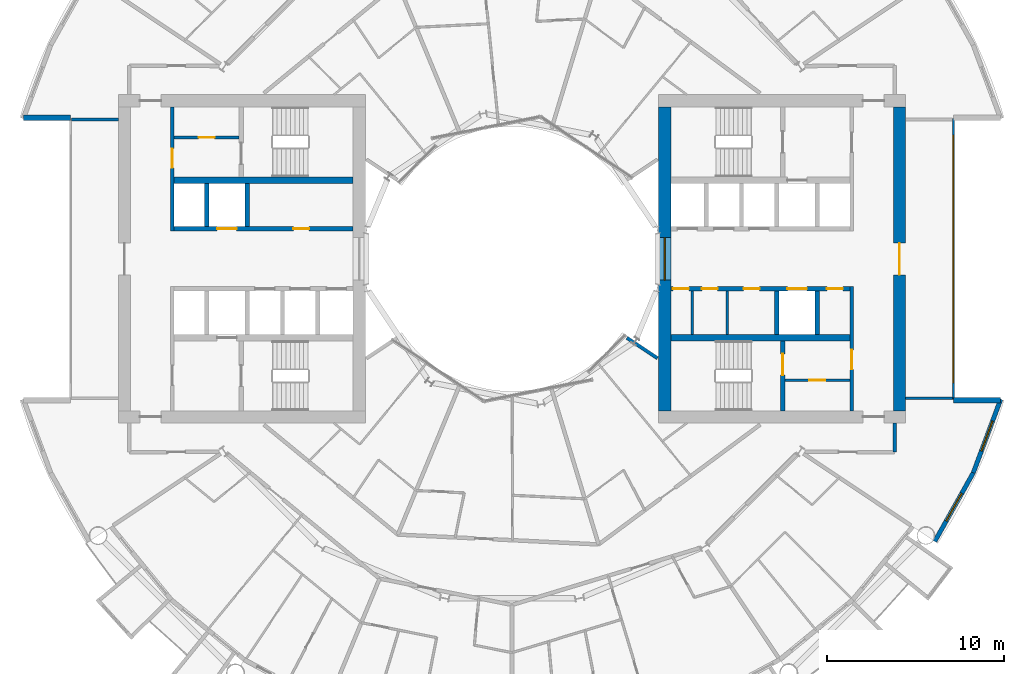
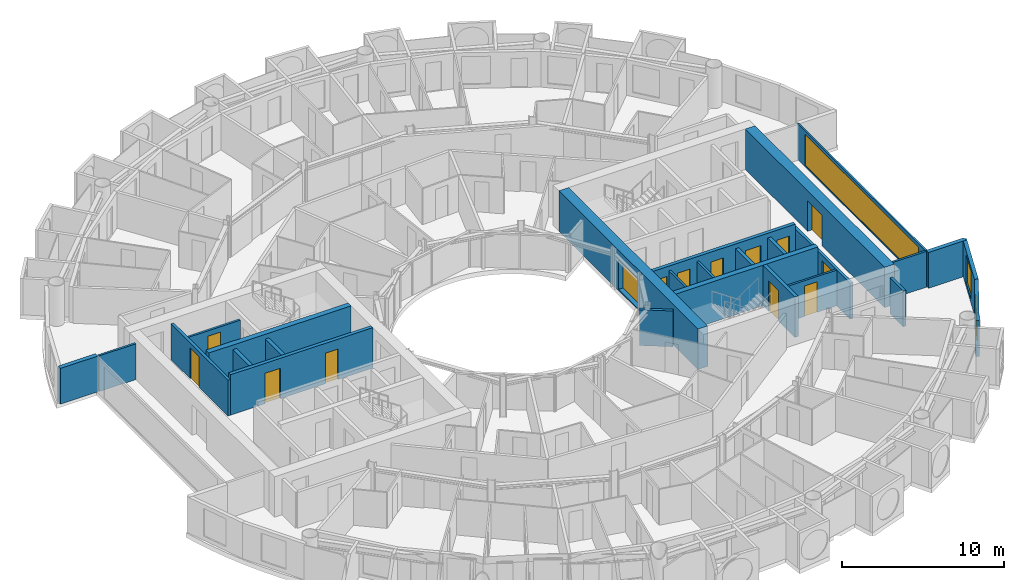
# One storey, part 17 of 26: 26 walls, 13 doors, 4 windows, 17 openings.
"""IFC4 building model written with IfcOpenShell, lengths in metres."""

import ifcopenshell
import ifcopenshell.guid

model = None  # the IFC model being written
_history = None  # IfcOwnerHistory: only IFC2X3 demands one
_inside = {}  # id of a spatial element -> (the spatial element, [elements in it])
_under = {}  # id of a project, library or spatial element -> (it, [spatial elements below it])
_declared = {}  # id of a project -> (the project, [libraries it declares])
_typed = {}  # id of a type object -> (the type object, [elements of that type])
_made_of = {}  # id of a material, layer set ... -> (it, [elements and type objects made of it])


def new_model(schema):
    """Start an empty IFC model of exactly this schema.

    Asked for "IFC4X3", IfcOpenShell would pick the latest addendum, in which some entities
    have other attributes; the version numbers below select the first issue.
    IFC2X3 requires an IfcOwnerHistory on every rooted entity: one is made here for all.
    """
    global model, _history
    if schema == "IFC4X3":
        model = ifcopenshell.file(schema_version=(4, 3, 0, 0))
    else:
        model = ifcopenshell.file(schema=schema)
    _inside.clear()
    _under.clear()
    _declared.clear()
    _typed.clear()
    _made_of.clear()
    _history = None
    if model.schema == "IFC2X3":
        org = make("IfcOrganization", Name="unknown")
        user = make(
            "IfcPersonAndOrganization",
            ThePerson=make("IfcPerson", FamilyName="unknown"),
            TheOrganization=org,
        )
        app = make(
            "IfcApplication",
            ApplicationDeveloper=org,
            Version="unknown",
            ApplicationFullName="unknown",
            ApplicationIdentifier="unknown",
        )
        _history = make(
            "IfcOwnerHistory",
            OwningUser=user,
            OwningApplication=app,
            ChangeAction="ADDED",
            CreationDate=0,
        )
    return model


def make(cls, **values):
    """One entity of the class cls with the attributes given. An attribute that is None is left unset."""
    return model.create_entity(
        cls, **{name: value for name, value in values.items() if value is not None}
    )


def rooted(cls, **values):
    """An entity with a GlobalId (a new one), such as an element, a storey or a relation."""
    return make(cls, GlobalId=ifcopenshell.guid.new(), OwnerHistory=_history, **values)


def si_unit(unit_type, name, prefix=None):
    """IfcSIUnit, for example si_unit("LENGTHUNIT", "METRE", prefix="MILLI")."""
    return make("IfcSIUnit", UnitType=unit_type, Prefix=prefix, Name=name)


def assignment(units):
    """IfcUnitAssignment: the units of a project."""
    return None if units is None else make("IfcUnitAssignment", Units=units)


def point(xyz):
    """IfcCartesianPoint."""
    return None if xyz is None else make("IfcCartesianPoint", Coordinates=xyz)


def direction(xyz):
    """IfcDirection."""
    return None if xyz is None else make("IfcDirection", DirectionRatios=xyz)


def frame(location, z_axis=None, x_axis=None):
    """IfcAxis2Placement3D, a coordinate frame: its origin and axes. An axis left out is left unset."""
    return make(
        "IfcAxis2Placement3D",
        Location=point(location),
        Axis=direction(z_axis),
        RefDirection=direction(x_axis),
    )


def frame_2d(location, x_axis=None):
    """IfcAxis2Placement2D, a coordinate frame in the plane: its origin and x axis."""
    return make(
        "IfcAxis2Placement2D", Location=point(location), RefDirection=direction(x_axis)
    )


def origin():
    """The frame at (0, 0, 0) with its axes left unset."""
    return frame((0.0, 0.0, 0.0))


def place(relative_to, where):
    """IfcLocalPlacement: puts the frame where relative to a parent placement (None: the world)."""
    return make(
        "IfcLocalPlacement", PlacementRelTo=relative_to, RelativePlacement=where
    )


def context(
    kind, dimensions, precision=None, world=None, true_north=None, identifier=None
):
    """IfcGeometricRepresentationContext, for example the 3D "Model" context."""
    return make(
        "IfcGeometricRepresentationContext",
        ContextIdentifier=identifier,
        ContextType=kind,
        CoordinateSpaceDimension=dimensions,
        Precision=precision,
        WorldCoordinateSystem=world,
        TrueNorth=true_north,
    )


def subcontext(parent, identifier, kind, view, scale=None):
    """IfcGeometricRepresentationSubContext, for example "Body" below "Model"."""
    return make(
        "IfcGeometricRepresentationSubContext",
        ContextIdentifier=identifier,
        ContextType=kind,
        ParentContext=parent,
        TargetScale=scale,
        TargetView=view,
    )


def project(units=None, contexts=None):
    """IfcProject with its units and contexts."""
    return rooted(
        "IfcProject",
        Name="project",
        RepresentationContexts=contexts,
        UnitsInContext=assignment(units),
    )


def spatial(cls, under=None, at=None, **own):
    """A site, building, storey or space (cls), placed at a placement, below another one or the project."""
    s = rooted(cls, ObjectPlacement=at, **own)
    if under is not None:
        _under.setdefault(under.id(), (under, []))[1].append(s)
    return s


def profile(cls, at=None, kind="AREA", **sizes):
    """A parametric profile (cls). Its sizes go by their IFC names, for example OverallWidth=200.0."""
    return make(cls, ProfileType=kind, Position=at, **sizes)


def rectangle(**sizes):
    """IfcRectangleProfileDef."""
    return profile("IfcRectangleProfileDef", **sizes)


def extrude(swept, where, along, depth):
    """IfcExtrudedAreaSolid: the profile swept, set in the frame where, extruded along a direction by depth."""
    return make(
        "IfcExtrudedAreaSolid",
        SweptArea=swept,
        Position=where,
        ExtrudedDirection=direction(along),
        Depth=depth,
    )


def shape(context_of_items, identifier, shape_type, items):
    """IfcShapeRepresentation: the items that make up one representation, for example the "Body"."""
    return make(
        "IfcShapeRepresentation",
        ContextOfItems=context_of_items,
        RepresentationIdentifier=identifier,
        RepresentationType=shape_type,
        Items=items,
    )


def material(Name=None, Category=None):
    """IfcMaterial."""
    return make("IfcMaterial", Name=Name, Category=Category)


def layer(
    of_material, thickness, ventilated=None, Name=None, Category=None, Priority=None
):
    """IfcMaterialLayer: one layer of a wall or slab, of a material (None: an air gap)."""
    return make(
        "IfcMaterialLayer",
        Material=of_material,
        LayerThickness=thickness,
        IsVentilated=ventilated,
        Name=Name,
        Category=Category,
        Priority=Priority,
    )


def layer_set(layers, Name=None):
    """IfcMaterialLayerSet."""
    return make("IfcMaterialLayerSet", MaterialLayers=layers, LayerSetName=Name)


def made_of(thing, what):
    """Note that an element or type object is made of a material, layer set ...; save() writes the relation."""
    if what is not None:
        _made_of.setdefault(what.id(), (what, []))[1].append(thing)
    return thing


def type_object(cls, material=None, **own):
    """A type object (cls), such as IfcWallType, which elements share."""
    return made_of(rooted(cls, **own), material)


def element(
    cls,
    number,
    at=None,
    inside=None,
    cuts=None,
    type_object=None,
    material=None,
    context=None,
    identifier="Body",
    shape_type=None,
    held_by="IfcProductDefinitionShape",
    body=None,
    shapes=None,
    **own,
):
    """One element of the class cls, such as IfcWall. Its Tag is "e" and its number.

    at: its placement. inside: the storey or other place that contains it. cuts: it is an
    opening in that element (IfcRelVoidsElement). A single representation is given by context,
    identifier, shape_type and body (its items); several are given by shapes. held_by: the class
    of the entity that holds the representations. save() writes the other relations.
    """
    e = rooted(cls, Tag="e%d" % number, ObjectPlacement=at, **own)
    if body is not None:
        shapes = [shape(context, identifier, shape_type, body)]
    if shapes is not None:
        e.Representation = make(held_by, Representations=shapes)
    if inside is not None:
        _inside.setdefault(inside.id(), (inside, []))[1].append(e)
    if cuts is not None:
        rooted(
            "IfcRelVoidsElement", RelatingBuildingElement=cuts, RelatedOpeningElement=e
        )
    if type_object is not None:
        _typed.setdefault(type_object.id(), (type_object, []))[1].append(e)
    return made_of(e, material)


def fill(opening, filler):
    """IfcRelFillsElement: the door or window that sits in an opening."""
    return rooted(
        "IfcRelFillsElement",
        RelatingOpeningElement=opening,
        RelatedBuildingElement=filler,
    )


def aggregate(whole, parts):
    """IfcRelAggregates: a whole, such as a stair, and the parts it consists of."""
    return rooted("IfcRelAggregates", RelatingObject=whole, RelatedObjects=parts)


def save(model, path):
    """Write the relations noted so far, then the file.

    IfcRelAggregates (storeys below a building ...), IfcRelContainedInSpatialStructure (elements
    in a storey), IfcRelDefinesByType, IfcRelAssociatesMaterial and IfcRelDeclares: one each for
    every whole, place, type object, material and project.
    """
    for whole, parts in _under.values():
        aggregate(whole, parts)
    for where, things in _inside.values():
        rooted(
            "IfcRelContainedInSpatialStructure",
            RelatedElements=things,
            RelatingStructure=where,
        )
    for kind, things in _typed.values():
        rooted("IfcRelDefinesByType", RelatedObjects=things, RelatingType=kind)
    for what, things in _made_of.values():
        rooted("IfcRelAssociatesMaterial", RelatedObjects=things, RelatingMaterial=what)
    for by, libraries in _declared.values():
        rooted("IfcRelDeclares", RelatingContext=by, RelatedDefinitions=libraries)
    model.write(path)


model = new_model("IFC4")

# Units and contexts
model_context = context("Model", 3, precision=1e-05, world=origin(), true_north=direction((0.0, 1.0)))
body_context = subcontext(model_context, "Body", "Model", "MODEL_VIEW")
ifc_project = project(units=[si_unit("LENGTHUNIT", "METRE"), si_unit("AREAUNIT", "SQUARE_METRE"), si_unit("VOLUMEUNIT", "CUBIC_METRE"), si_unit("PLANEANGLEUNIT", "RADIAN"), si_unit("MASSUNIT", "GRAM", prefix="KILO")], contexts=[model_context])

# Site, building, storey
site_placement = place(None, origin())
site = spatial("IfcSite", under=ifc_project, at=site_placement, CompositionType="ELEMENT")
building_placement = place(site_placement, origin())
building = spatial("IfcBuilding", under=site, at=building_placement, Name="Maasbend Ring Residences", CompositionType="ELEMENT")
storey_placement = place(building_placement, frame((0.0, 0.0, 69.699951171875)))
storey = spatial("IfcBuildingStorey", under=building, at=storey_placement, Name="L19", CompositionType="ELEMENT", Elevation=69.699951171875)

# Wall, openings, doors
ifc_material_1 = material(Name="Concrete C70/85", Category="concrete")
ifc_layer_1 = layer(ifc_material_1, 0.25)
ifc_layer_set_1 = layer_set([ifc_layer_1], Name="Concrete C70/85")
wall_type_1 = type_object("IfcWallType", Name="CORE WALL 250 C70/85", PredefinedType="SHEAR", material=ifc_layer_set_1)
wall_1_placement = place(storey_placement, frame((19.14990234375, -1.699951171875, 0.0), z_axis=(0.0, 0.0, 1.0), x_axis=(-1.0, 0.0, 0.0)))
wall_1 = element("IfcWall", 1, at=wall_1_placement, inside=storey, type_object=wall_type_1, Name="L19 core E wall SPS", PredefinedType="SHEAR", context=body_context, shape_type="SweptSolid", body=[
    extrude(rectangle(XDim=10.14990234375, YDim=0.25, at=frame_2d((5.074951171875, 0.0))), origin(), (0.0, 0.0, 1.0), 3.050048828125),
])
opening_1_placement = place(wall_1_placement, frame((2.449951171875, 0.0, 0.0)))
opening_1 = element("IfcOpeningElement", 2, at=opening_1_placement, cuts=wall_1, Name="Opening LD-E1905", PredefinedType="OPENING", context=body_context, shape_type="SweptSolid", body=[
    extrude(rectangle(XDim=1.10009765625, YDim=2.300048828125, at=frame_2d((0.550048828125, 1.14990234375))), frame((0.0, 0.135009765625, 0.0), z_axis=(0.0, -1.0, 0.0), x_axis=(1.0, 0.0, 0.0)), (0.0, 0.0, 1.0), 0.27001953125),
])
opening_2_placement = place(wall_1_placement, frame((9.137451171875, 0.0, 0.0)))
opening_2 = element("IfcOpeningElement", 3, at=opening_2_placement, cuts=wall_1, Name="Opening D-E1906", PredefinedType="OPENING", context=body_context, shape_type="SweptSolid", body=[
    extrude(rectangle(XDim=0.89990234375, YDim=2.300048828125, at=frame_2d((0.449951171875, 1.14990234375))), frame((0.0, 0.135009765625, 0.0), z_axis=(0.0, -1.0, 0.0), x_axis=(1.0, 0.0, 0.0)), (0.0, 0.0, 1.0), 0.27001953125),
])
opening_3_placement = place(wall_1_placement, frame((7.5, 0.0, 0.0)))
opening_3 = element("IfcOpeningElement", 4, at=opening_3_placement, cuts=wall_1, Name="Opening D-E1907", PredefinedType="OPENING", context=body_context, shape_type="SweptSolid", body=[
    extrude(rectangle(XDim=0.89990234375, YDim=2.300048828125, at=frame_2d((0.449951171875, 1.14990234375))), frame((0.0, 0.135009765625, 0.0), z_axis=(0.0, -1.0, 0.0), x_axis=(1.0, 0.0, 0.0)), (0.0, 0.0, 1.0), 0.27001953125),
])
opening_4_placement = place(wall_1_placement, frame((5.125, 0.0, 0.0)))
opening_4 = element("IfcOpeningElement", 5, at=opening_4_placement, cuts=wall_1, Name="Opening D-E1908", PredefinedType="OPENING", context=body_context, shape_type="SweptSolid", body=[
    extrude(rectangle(XDim=0.89990234375, YDim=2.300048828125, at=frame_2d((0.449951171875, 1.14990234375))), frame((0.0, 0.135009765625, 0.0), z_axis=(0.0, -1.0, 0.0), x_axis=(1.0, 0.0, 0.0)), (0.0, 0.0, 1.0), 0.27001953125),
])
opening_5_placement = place(wall_1_placement, frame((0.41259765625, 0.0, 0.0)))
opening_5 = element("IfcOpeningElement", 6, at=opening_5_placement, cuts=wall_1, Name="Opening D-E1909", PredefinedType="OPENING", context=body_context, shape_type="SweptSolid", body=[
    extrude(rectangle(XDim=0.89990234375, YDim=2.300048828125, at=frame_2d((0.449951171875, 1.14990234375))), frame((0.0, 0.135009765625, 0.0), z_axis=(0.0, -1.0, 0.0), x_axis=(1.0, 0.0, 0.0)), (0.0, 0.0, 1.0), 0.27001953125),
])
ifc_material_2 = material(Name="Stainless steel 316", Category="steel")
door_type_1 = type_object("IfcDoorType", Name="LANDING DOOR 1100 X 2300 FD60", OperationType="DOUBLE_DOOR_SLIDING", PredefinedType="DOOR", material=ifc_material_2)
door_1_placement = place(opening_1_placement, origin())
door_1 = element("IfcDoor", 7, at=door_1_placement, inside=storey, type_object=door_type_1, Name="Landing door SV-E L19", OperationType="DOUBLE_DOOR_SLIDING", OverallHeight=2.300048828125, OverallWidth=1.10009765625, PredefinedType="DOOR", context=body_context, shape_type="SweptSolid", body=[
    extrude(rectangle(XDim=1.10009765625, YDim=2.300048828125, at=frame_2d((0.550048828125, 1.14990234375))), frame((0.0, 0.02490234375, 0.0), z_axis=(0.0, -1.0, 0.0), x_axis=(1.0, 0.0, 0.0)), (0.0, 0.0, 1.0), 0.050048828125),
])
fill(opening_1, door_1)
ifc_material_3 = material(Name="Steel, powder coated", Category="steel")
door_type_2 = type_object("IfcDoorType", Name="ROOM DOOR 900 X 2300 FD30S", OperationType="NOTDEFINED", PredefinedType="DOOR", material=ifc_material_3)
door_2_placement = place(opening_2_placement, origin())
door_2 = element("IfcDoor", 8, at=door_2_placement, inside=storey, type_object=door_type_2, Name="Room door L19", OperationType="SINGLE_SWING_LEFT", OverallHeight=2.300048828125, OverallWidth=0.89990234375, PredefinedType="DOOR", context=body_context, shape_type="SweptSolid", body=[
    extrude(rectangle(XDim=0.89990234375, YDim=2.300048828125, at=frame_2d((0.449951171875, 1.14990234375))), frame((0.0, 0.02490234375, 0.0), z_axis=(0.0, -1.0, 0.0), x_axis=(1.0, 0.0, 0.0)), (0.0, 0.0, 1.0), 0.050048828125),
])
fill(opening_2, door_2)
door_3_placement = place(opening_3_placement, origin())
door_3 = element("IfcDoor", 9, at=door_3_placement, inside=storey, type_object=door_type_2, Name="Room door L19", OperationType="SINGLE_SWING_LEFT", OverallHeight=2.300048828125, OverallWidth=0.89990234375, PredefinedType="DOOR", context=body_context, shape_type="SweptSolid", body=[
    extrude(rectangle(XDim=0.89990234375, YDim=2.300048828125, at=frame_2d((0.449951171875, 1.14990234375))), frame((0.0, 0.02490234375, 0.0), z_axis=(0.0, -1.0, 0.0), x_axis=(1.0, 0.0, 0.0)), (0.0, 0.0, 1.0), 0.050048828125),
])
fill(opening_3, door_3)
door_4_placement = place(opening_4_placement, origin())
door_4 = element("IfcDoor", 10, at=door_4_placement, inside=storey, type_object=door_type_2, Name="Room door L19", OperationType="SINGLE_SWING_LEFT", OverallHeight=2.300048828125, OverallWidth=0.89990234375, PredefinedType="DOOR", context=body_context, shape_type="SweptSolid", body=[
    extrude(rectangle(XDim=0.89990234375, YDim=2.300048828125, at=frame_2d((0.449951171875, 1.14990234375))), frame((0.0, 0.02490234375, 0.0), z_axis=(0.0, -1.0, 0.0), x_axis=(1.0, 0.0, 0.0)), (0.0, 0.0, 1.0), 0.050048828125),
])
fill(opening_4, door_4)
door_5_placement = place(opening_5_placement, origin())
door_5 = element("IfcDoor", 11, at=door_5_placement, inside=storey, type_object=door_type_2, Name="Room door L19", OperationType="SINGLE_SWING_RIGHT", OverallHeight=2.300048828125, OverallWidth=0.89990234375, PredefinedType="DOOR", context=body_context, shape_type="SweptSolid", body=[
    extrude(rectangle(XDim=0.89990234375, YDim=2.300048828125, at=frame_2d((0.449951171875, 1.14990234375))), frame((0.0, 0.02490234375, 0.0), z_axis=(0.0, -1.0, 0.0), x_axis=(1.0, 0.0, 0.0)), (0.0, 0.0, 1.0), 0.050048828125),
])
fill(opening_5, door_5)

# Wall, opening, door
wall_2_placement = place(storey_placement, frame((15.324951171875, -8.60009765625, 0.0), z_axis=(0.0, 0.0, 1.0), x_axis=(0.0, 1.0, 0.0)))
wall_2 = element("IfcWall", 12, at=wall_2_placement, inside=storey, type_object=wall_type_1, Name="L19 core E wall STES", PredefinedType="SHEAR", context=body_context, shape_type="SweptSolid", body=[
    extrude(rectangle(XDim=3.9501953125, YDim=0.25, at=frame_2d((1.97509765625, 0.0))), origin(), (0.0, 0.0, 1.0), 3.050048828125),
])
opening_6_placement = place(wall_2_placement, frame((2.02490234375, 0.0, 0.0)))
opening_6 = element("IfcOpeningElement", 13, at=opening_6_placement, cuts=wall_2, Name="Opening D-E1912", PredefinedType="OPENING", context=body_context, shape_type="SweptSolid", body=[
    extrude(rectangle(XDim=1.199951171875, YDim=2.300048828125, at=frame_2d((0.60009765625, 1.14990234375))), frame((0.0, 0.135009765625, 0.0), z_axis=(0.0, -1.0, 0.0), x_axis=(1.0, 0.0, 0.0)), (0.0, 0.0, 1.0), 0.27001953125),
])
ifc_material_4 = material(Name="Steel, powder coated", Category="steel")
door_type_3 = type_object("IfcDoorType", Name="STAIR DOOR 1200 X 2300 FD60", OperationType="NOTDEFINED", PredefinedType="DOOR", material=ifc_material_4)
door_6_placement = place(opening_6_placement, origin())
door_6 = element("IfcDoor", 14, at=door_6_placement, inside=storey, type_object=door_type_3, Name="Stair door ST-E L19", OperationType="SINGLE_SWING_LEFT", OverallHeight=2.300048828125, OverallWidth=1.199951171875, PredefinedType="DOOR", context=body_context, shape_type="SweptSolid", body=[
    extrude(rectangle(XDim=1.199951171875, YDim=2.300048828125, at=frame_2d((0.60009765625, 1.14990234375))), frame((0.0, 0.02490234375, 0.0), z_axis=(0.0, -1.0, 0.0), x_axis=(1.0, 0.0, 0.0)), (0.0, 0.0, 1.0), 0.050048828125),
])
fill(opening_6, door_6)

# Wall, openings, doors
wall_3_placement = place(storey_placement, frame((-19.14990234375, 1.699951171875, 0.0), z_axis=(0.0, 0.0, 1.0), x_axis=(1.0, 0.0, 0.0)))
wall_3 = element("IfcWall", 15, at=wall_3_placement, inside=storey, type_object=wall_type_1, Name="L19 core W wall SPS", PredefinedType="SHEAR", context=body_context, shape_type="SweptSolid", body=[
    extrude(rectangle(XDim=10.14990234375, YDim=0.25, at=frame_2d((5.074951171875, 0.0))), origin(), (0.0, 0.0, 1.0), 3.050048828125),
])
opening_7_placement = place(wall_3_placement, frame((2.449951171875, 0.0, 0.0)))
opening_7 = element("IfcOpeningElement", 16, at=opening_7_placement, cuts=wall_3, Name="Opening LD-W1905", PredefinedType="OPENING", context=body_context, shape_type="SweptSolid", body=[
    extrude(rectangle(XDim=1.10009765625, YDim=2.300048828125, at=frame_2d((0.550048828125, 1.14990234375))), frame((0.0, 0.135009765625, 0.0), z_axis=(0.0, -1.0, 0.0), x_axis=(1.0, 0.0, 0.0)), (0.0, 0.0, 1.0), 0.27001953125),
])
opening_8_placement = place(wall_3_placement, frame((6.762451171875, 0.0, 0.0)))
opening_8 = element("IfcOpeningElement", 17, at=opening_8_placement, cuts=wall_3, Name="Opening D-W1906", PredefinedType="OPENING", context=body_context, shape_type="SweptSolid", body=[
    extrude(rectangle(XDim=0.89990234375, YDim=2.300048828125, at=frame_2d((0.449951171875, 1.14990234375))), frame((0.0, 0.135009765625, 0.0), z_axis=(0.0, -1.0, 0.0), x_axis=(1.0, 0.0, 0.0)), (0.0, 0.0, 1.0), 0.27001953125),
])
door_7_placement = place(opening_7_placement, origin())
door_7 = element("IfcDoor", 18, at=door_7_placement, inside=storey, type_object=door_type_1, Name="Landing door SV-W L19", OperationType="DOUBLE_DOOR_SLIDING", OverallHeight=2.300048828125, OverallWidth=1.10009765625, PredefinedType="DOOR", context=body_context, shape_type="SweptSolid", body=[
    extrude(rectangle(XDim=1.10009765625, YDim=2.300048828125, at=frame_2d((0.550048828125, 1.14990234375))), frame((0.0, 0.02490234375, 0.0), z_axis=(0.0, -1.0, 0.0), x_axis=(1.0, 0.0, 0.0)), (0.0, 0.0, 1.0), 0.050048828125),
])
fill(opening_7, door_7)
door_8_placement = place(opening_8_placement, origin())
door_8 = element("IfcDoor", 19, at=door_8_placement, inside=storey, type_object=door_type_2, Name="Room door L19", OperationType="SINGLE_SWING_LEFT", OverallHeight=2.300048828125, OverallWidth=0.89990234375, PredefinedType="DOOR", context=body_context, shape_type="SweptSolid", body=[
    extrude(rectangle(XDim=0.89990234375, YDim=2.300048828125, at=frame_2d((0.449951171875, 1.14990234375))), frame((0.0, 0.02490234375, 0.0), z_axis=(0.0, -1.0, 0.0), x_axis=(1.0, 0.0, 0.0)), (0.0, 0.0, 1.0), 0.050048828125),
])
fill(opening_8, door_8)

# Walls
ifc_material_5 = material(Name="Concrete C70/85", Category="concrete")
ifc_layer_2 = layer(ifc_material_5, 0.375)
ifc_layer_set_2 = layer_set([ifc_layer_2], Name="Concrete C70/85")
wall_type_2 = type_object("IfcWallType", Name="CORE WALL 375 C70/85", PredefinedType="SHEAR", material=ifc_layer_set_2)
for number, where, z_axis, x_axis, name in (
    (20, (9.0, -4.46240234375, 0.0), (0.0, 0.0, 1.0), (1.0, 0.0, 0.0), "L19 core E wall BS"),
    (21, (-9.0, 4.46240234375, 0.0), (0.0, 0.0, 1.0), (-1.0, 0.0, 0.0), "L19 core W wall BS"),
):
    element("IfcWall", number, at=place(storey_placement, frame(where, z_axis=z_axis, x_axis=x_axis)), inside=storey, type_object=wall_type_2, Name=name, PredefinedType="SHEAR", context=body_context, shape_type="SweptSolid", body=[
        extrude(rectangle(XDim=10.14990234375, YDim=0.375, at=frame_2d((5.074951171875, 0.0))), origin(), (0.0, 0.0, 1.0), 3.050048828125),
    ])

# Wall, opening, door
ifc_material_6 = material(Name="Concrete C70/85", Category="concrete")
ifc_layer_3 = layer(ifc_material_6, 0.699951171875)
ifc_layer_set_3 = layer_set([ifc_layer_3], Name="Concrete C70/85")
wall_type_3 = type_object("IfcWallType", Name="CORE WALL 700 C70/85", PredefinedType="SHEAR", material=ifc_layer_set_3)
wall_4_placement = place(storey_placement, frame((21.949951171875, 8.60009765625, 0.0), z_axis=(0.0, 0.0, 1.0), x_axis=(0.0, -1.0, 0.0)))
wall_4 = element("IfcWall", 22, at=wall_4_placement, inside=storey, type_object=wall_type_3, Name="L19 core E wall POUT", PredefinedType="SHEAR", context=body_context, shape_type="SweptSolid", body=[
    extrude(rectangle(XDim=17.2001953125, YDim=0.699951171875, at=frame_2d((8.60009765625, 0.0))), origin(), (0.0, 0.0, 1.0), 3.050048828125),
])
opening_9_placement = place(wall_4_placement, frame((7.699951171875, 0.0, 0.0)))
opening_9 = element("IfcOpeningElement", 23, at=opening_9_placement, cuts=wall_4, Name="Opening D-E1917", PredefinedType="OPENING", context=body_context, shape_type="SweptSolid", body=[
    extrude(rectangle(XDim=1.800048828125, YDim=2.300048828125, at=frame_2d((0.89990234375, 1.14990234375))), frame((0.0, 0.35986328125, 0.0), z_axis=(0.0, -1.0, 0.0), x_axis=(1.0, 0.0, 0.0)), (0.0, 0.0, 1.0), 0.719970703125),
])
ifc_material_7 = material(Name="Aluminium frame, clear glass", Category="aluminium")
door_type_4 = type_object("IfcDoorType", Name="ENTRANCE DOOR 1800 X 2300 FD60", OperationType="NOTDEFINED", PredefinedType="DOOR", material=ifc_material_7)
door_9_placement = place(opening_9_placement, origin())
door_9 = element("IfcDoor", 24, at=door_9_placement, inside=storey, type_object=door_type_4, Name="Lobby glazed door L19", OperationType="SINGLE_SWING_LEFT", OverallHeight=2.300048828125, OverallWidth=1.800048828125, PredefinedType="DOOR", context=body_context, shape_type="SweptSolid", body=[
    extrude(rectangle(XDim=1.800048828125, YDim=2.300048828125, at=frame_2d((0.89990234375, 1.14990234375))), frame((0.0, 0.02490234375, 0.0), z_axis=(0.0, -1.0, 0.0), x_axis=(1.0, 0.0, 0.0)), (0.0, 0.0, 1.0), 0.050048828125),
])
fill(opening_9, door_9)

# Wall, opening, window
wall_5_placement = place(storey_placement, frame((8.64990234375, -8.60009765625, 0.0), z_axis=(0.0, 0.0, 1.0), x_axis=(0.0, 1.0, 0.0)))
wall_5 = element("IfcWall", 25, at=wall_5_placement, inside=storey, type_object=wall_type_3, Name="L19 core E wall PIN", PredefinedType="SHEAR", context=body_context, shape_type="SweptSolid", body=[
    extrude(rectangle(XDim=17.2001953125, YDim=0.699951171875, at=frame_2d((8.60009765625, 0.0))), origin(), (0.0, 0.0, 1.0), 3.050048828125),
])
opening_10_placement = place(wall_5_placement, frame((7.39990234375, 0.0, 0.10009765625)))
opening_10 = element("IfcOpeningElement", 26, at=opening_10_placement, cuts=wall_5, Name="Opening W-E1901", PredefinedType="OPENING", context=body_context, shape_type="SweptSolid", body=[
    extrude(rectangle(XDim=2.39990234375, YDim=2.199951171875, at=frame_2d((1.199951171875, 1.10009765625))), frame((0.0, 0.35986328125, 0.0), z_axis=(0.0, -1.0, 0.0), x_axis=(1.0, 0.0, 0.0)), (0.0, 0.0, 1.0), 0.719970703125),
])
ifc_material_8 = material(Name="Aluminium frame and clear glass", Category="aluminium")
window_type_1 = type_object("IfcWindowType", Name="FIXED WINDOW 2400 X 2200", PartitioningType="SINGLE_PANEL", PredefinedType="WINDOW", material=ifc_material_8)
window_1_placement = place(opening_10_placement, origin())
window_1 = element("IfcWindow", 27, at=window_1_placement, inside=storey, type_object=window_type_1, Name="Lobby window L19", OverallHeight=2.199951171875, OverallWidth=2.39990234375, PartitioningType="SINGLE_PANEL", PredefinedType="WINDOW", context=body_context, shape_type="SweptSolid", body=[
    extrude(rectangle(XDim=2.39990234375, YDim=2.199951171875, at=frame_2d((1.199951171875, 1.10009765625))), frame((0.0, 0.030029296875, 0.0), z_axis=(0.0, -1.0, 0.0), x_axis=(1.0, 0.0, 0.0)), (0.0, 0.0, 1.0), 0.06005859375),
])
fill(opening_10, window_1)

# Wall
ifc_material_9 = material(Name="Concrete C30/37", Category="concrete")
ifc_layer_4 = layer(ifc_material_9, 0.199951171875)
ifc_layer_set_4 = layer_set([ifc_layer_4], Name="Concrete C30/37")
wall_type_4 = type_object("IfcWallType", Name="CORRIDOR WALL 200 CONCRETE", PredefinedType="PARTITIONING", material=ifc_layer_set_4)
wall_6_placement = place(storey_placement, frame((21.675048828125, -10.949951171875, 0.0), z_axis=(0.0, 0.0, 1.0), x_axis=(0.0, 1.0, 0.0)))
element("IfcWall", 28, at=wall_6_placement, inside=storey, type_object=wall_type_4, Name="U-L19-w005", PredefinedType="PARTITIONING", context=body_context, shape_type="SweptSolid", body=[
    extrude(rectangle(XDim=1.64990234375, YDim=0.199951171875, at=frame_2d((0.824951171875, 0.0))), origin(), (0.0, 0.0, 1.0), 2.699951171875),
])

# Wall, opening, window
ifc_material_10 = material(Name="Aluminium clad insulated panel", Category="aluminium")
ifc_layer_5 = layer(ifc_material_10, 0.25)
ifc_layer_set_5 = layer_set([ifc_layer_5], Name="EW-HORN")
wall_type_5 = type_object("IfcWallType", Name="EW-HORN", PredefinedType="SOLIDWALL", material=ifc_layer_set_5)
wall_7_placement = place(storey_placement, frame((23.946044921875, -16.0, 0.0), z_axis=(0.0, 0.0, 1.0), x_axis=(0.489696356642, 0.871893042919, 0.0)))
wall_7 = element("IfcWall", 29, at=wall_7_placement, inside=storey, type_object=wall_type_5, Name="Horn wall 2.1", PredefinedType="SOLIDWALL", context=body_context, shape_type="SweptSolid", body=[
    extrude(rectangle(XDim=4.45361328125, YDim=0.25, at=frame_2d((2.226806640625, 0.0))), origin(), (0.0, 0.0, 1.0), 2.699951171875),
])
opening_11_placement = place(wall_7_placement, frame((1.32666015625, 0.0, 0.300048828125)))
opening_11 = element("IfcOpeningElement", 30, at=opening_11_placement, cuts=wall_7, Name="Opening W-BX", PredefinedType="OPENING", context=body_context, shape_type="SweptSolid", body=[
    extrude(rectangle(XDim=1.800048828125, YDim=2.10009765625, at=frame_2d((0.89990234375, 1.050048828125))), frame((0.0, 0.135009765625, 0.0), z_axis=(0.0, -1.0, 0.0), x_axis=(1.0, 0.0, 0.0)), (0.0, 0.0, 1.0), 0.27001953125),
])
ifc_material_11 = material(Name="Aluminium and clear glass", Category="aluminium")
window_type_2 = type_object("IfcWindowType", Name="W-BX", PartitioningType="DOUBLE_PANEL_VERTICAL", PredefinedType="WINDOW", material=ifc_material_11)
window_2_placement = place(opening_11_placement, origin())
window_2 = element("IfcWindow", 31, at=window_2_placement, inside=storey, type_object=window_type_2, Name="Horn window 2.1", OverallHeight=2.10009765625, OverallWidth=1.800048828125, PartitioningType="SINGLE_PANEL", PredefinedType="WINDOW", context=body_context, shape_type="SweptSolid", body=[
    extrude(rectangle(XDim=1.800048828125, YDim=2.10009765625, at=frame_2d((0.89990234375, 1.050048828125))), frame((0.0, 0.030029296875, 0.0), z_axis=(0.0, -1.0, 0.0), x_axis=(1.0, 0.0, 0.0)), (0.0, 0.0, 1.0), 0.06005859375),
])
fill(opening_11, window_2)

wall_8_placement = place(storey_placement, frame((26.126953125, -12.116943359375, 0.0), z_axis=(0.0, 0.0, 1.0), x_axis=(0.349247811493, 0.937030397675, 0.0)))
wall_8 = element("IfcWall", 32, at=wall_8_placement, inside=storey, type_object=wall_type_5, Name="Horn wall 2.2", PredefinedType="SOLIDWALL", context=body_context, shape_type="SweptSolid", body=[
    extrude(rectangle(XDim=4.4521484375, YDim=0.25, at=frame_2d((2.22607421875, 0.0))), origin(), (0.0, 0.0, 1.0), 2.699951171875),
])
opening_12_placement = place(wall_8_placement, frame((1.32666015625, 0.0, 0.300048828125)))
opening_12 = element("IfcOpeningElement", 33, at=opening_12_placement, cuts=wall_8, Name="Opening W-BX", PredefinedType="OPENING", context=body_context, shape_type="SweptSolid", body=[
    extrude(rectangle(XDim=1.800048828125, YDim=2.10009765625, at=frame_2d((0.89990234375, 1.050048828125))), frame((0.0, 0.135009765625, 0.0), z_axis=(0.0, -1.0, 0.0), x_axis=(1.0, 0.0, 0.0)), (0.0, 0.0, 1.0), 0.27001953125),
])
window_3_placement = place(opening_12_placement, origin())
window_3 = element("IfcWindow", 34, at=window_3_placement, inside=storey, type_object=window_type_2, Name="Horn window 2.2", OverallHeight=2.10009765625, OverallWidth=1.800048828125, PartitioningType="SINGLE_PANEL", PredefinedType="WINDOW", context=body_context, shape_type="SweptSolid", body=[
    extrude(rectangle(XDim=1.800048828125, YDim=2.10009765625, at=frame_2d((0.89990234375, 1.050048828125))), frame((0.0, 0.030029296875, 0.0), z_axis=(0.0, -1.0, 0.0), x_axis=(1.0, 0.0, 0.0)), (0.0, 0.0, 1.0), 0.06005859375),
])
fill(opening_12, window_3)

# Walls
ifc_material_12 = material(Name="Aluminium clad insulated panel", Category="aluminium")
ifc_layer_6 = layer(ifc_material_12, 0.300048828125)
ifc_layer_set_6 = layer_set([ifc_layer_6], Name="EW-RET")
wall_type_6 = type_object("IfcWallType", Name="EW-RET", PredefinedType="SOLIDWALL", material=ifc_layer_set_6)
for number, where, z_axis, x_axis, name in (
    (35, (25.0, -8.0, 0.0), (0.0, 0.0, 1.0), (1.0, 0.0, 0.0), "Notch return wall east south"),
    (36, (-25.0, 8.0, 0.0), (0.0, 0.0, 1.0), (-1.0, 0.0, 0.0), "Notch return wall west north"),
):
    element("IfcWall", number, at=place(storey_placement, frame(where, z_axis=z_axis, x_axis=x_axis)), inside=storey, type_object=wall_type_6, Name=name, PredefinedType="SOLIDWALL", context=body_context, shape_type="SweptSolid", body=[
        extrude(rectangle(XDim=2.6669921875, YDim=0.300048828125, at=frame_2d((1.33349609375, 0.0))), origin(), (0.0, 0.0, 1.0), 2.699951171875),
    ])

# Wall, opening, window
ifc_material_13 = material(Name="Aluminium frame and clear glass", Category="aluminium")
ifc_layer_7 = layer(ifc_material_13, 0.1201171875)
ifc_layer_set_7 = layer_set([ifc_layer_7], Name="GLAZED SCREEN WALL 120 EI 60")
wall_type_7 = type_object("IfcWallType", Name="GLAZED SCREEN WALL 120 EI 60", PredefinedType="PARTITIONING", material=ifc_layer_set_7)
wall_9_placement = place(storey_placement, frame((25.0, -7.949951171875, 0.0), z_axis=(0.0, 0.0, 1.0), x_axis=(0.0, 1.0, 0.0)))
wall_9 = element("IfcWall", 37, at=wall_9_placement, inside=storey, type_object=wall_type_7, Name="L19 core E wall FACE", PredefinedType="PARTITIONING", context=body_context, shape_type="SweptSolid", body=[
    extrude(rectangle(XDim=15.89990234375, YDim=0.1201171875, at=frame_2d((7.949951171875, 0.0))), origin(), (0.0, 0.0, 1.0), 2.699951171875),
])
opening_13_placement = place(wall_9_placement, frame((0.949951171875, 0.0, 0.10009765625)))
opening_13 = element("IfcOpeningElement", 38, at=opening_13_placement, cuts=wall_9, Name="Opening W-E1902", PredefinedType="OPENING", context=body_context, shape_type="SweptSolid", body=[
    extrude(rectangle(XDim=14.0, YDim=2.35009765625, at=frame_2d((7.0, 1.175048828125))), frame((0.0, 0.070068359375, 0.0), z_axis=(0.0, -1.0, 0.0), x_axis=(1.0, 0.0, 0.0)), (0.0, 0.0, 1.0), 0.14013671875),
])
ifc_material_14 = material(Name="Aluminium frame and clear glass", Category="aluminium")
window_type_3 = type_object("IfcWindowType", Name="FIXED WINDOW 14000 X 2350", PartitioningType="SINGLE_PANEL", PredefinedType="WINDOW", material=ifc_material_14)
window_4_placement = place(opening_13_placement, origin())
window_4 = element("IfcWindow", 39, at=window_4_placement, inside=storey, type_object=window_type_3, Name="Lobby window L19", OverallHeight=2.35009765625, OverallWidth=14.0, PartitioningType="SINGLE_PANEL", PredefinedType="WINDOW", context=body_context, shape_type="SweptSolid", body=[
    extrude(rectangle(XDim=14.0, YDim=2.35009765625, at=frame_2d((7.0, 1.175048828125))), frame((0.0, 0.030029296875, 0.0), z_axis=(0.0, -1.0, 0.0), x_axis=(1.0, 0.0, 0.0)), (0.0, 0.0, 1.0), 0.06005859375),
])
fill(opening_13, window_4)

# Walls
ifc_material_15 = material(Name="Gypsum board on steel studs", Category="steel")
ifc_layer_8 = layer(ifc_material_15, 0.14990234375)
ifc_layer_set_8 = layer_set([ifc_layer_8], Name="PARTITION 150 EI 60")
wall_type_8 = type_object("IfcWallType", Name="PARTITION 150 EI 60", PredefinedType="PARTITIONING", material=ifc_layer_set_8)
for number, where, z_axis, x_axis, name in (
    (40, (10.199951171875, -1.824951171875, 0.0), (0.0, 0.0, 1.0), (0.0, -1.0, 0.0), "L19 core E wall PRS1020"),
    (41, (12.199951171875, -1.824951171875, 0.0), (0.0, 0.0, 1.0), (0.0, -1.0, 0.0), "L19 core E wall PRS1220"),
):
    element("IfcWall", number, at=place(storey_placement, frame(where, z_axis=z_axis, x_axis=x_axis)), inside=storey, type_object=wall_type_8, Name=name, PredefinedType="PARTITIONING", context=body_context, shape_type="SweptSolid", body=[
        extrude(rectangle(XDim=2.449951171875, YDim=0.14990234375, at=frame_2d((1.22509765625, 0.0))), origin(), (0.0, 0.0, 1.0), 2.699951171875),
    ])

# Wall, opening, door
wall_10_placement = place(storey_placement, frame((15.449951171875, -6.875, 0.0), z_axis=(0.0, 0.0, 1.0), x_axis=(1.0, 0.0, 0.0)))
wall_10 = element("IfcWall", 42, at=wall_10_placement, inside=storey, type_object=wall_type_8, Name="L19 core E wall RHS", PredefinedType="PARTITIONING", context=body_context, shape_type="SweptSolid", body=[
    extrude(rectangle(XDim=3.699951171875, YDim=0.14990234375, at=frame_2d((1.85009765625, 0.0))), origin(), (0.0, 0.0, 1.0), 2.699951171875),
])
opening_14_placement = place(wall_10_placement, frame((1.39990234375, 0.0, 0.0)))
opening_14 = element("IfcOpeningElement", 43, at=opening_14_placement, cuts=wall_10, Name="Opening D-E1910", PredefinedType="OPENING", context=body_context, shape_type="SweptSolid", body=[
    extrude(rectangle(XDim=0.89990234375, YDim=2.300048828125, at=frame_2d((0.449951171875, 1.14990234375))), frame((0.0, 0.0849609375, 0.0), z_axis=(0.0, -1.0, 0.0), x_axis=(1.0, 0.0, 0.0)), (0.0, 0.0, 1.0), 0.169921875),
])
ifc_material_16 = material(Name="Steel, powder coated", Category="steel")
door_type_5 = type_object("IfcDoorType", Name="RISER DOOR 900 X 2300 FD60", OperationType="NOTDEFINED", PredefinedType="DOOR", material=ifc_material_16)
door_10_placement = place(opening_14_placement, origin())
door_10 = element("IfcDoor", 44, at=door_10_placement, inside=storey, type_object=door_type_5, Name="Riser door L19", OperationType="SINGLE_SWING_LEFT", OverallHeight=2.300048828125, OverallWidth=0.89990234375, PredefinedType="DOOR", context=body_context, shape_type="SweptSolid", body=[
    extrude(rectangle(XDim=0.89990234375, YDim=2.300048828125, at=frame_2d((0.449951171875, 1.14990234375))), frame((0.0, 0.02490234375, 0.0), z_axis=(0.0, -1.0, 0.0), x_axis=(1.0, 0.0, 0.0)), (0.0, 0.0, 1.0), 0.050048828125),
])
fill(opening_14, door_10)

# Wall
wall_11_placement = place(storey_placement, frame((22.300048828125, -7.89990234375, 0.0), z_axis=(0.0, 0.0, 1.0), x_axis=(1.0, 0.0, 0.0)))
element("IfcWall", 45, at=wall_11_placement, inside=storey, type_object=wall_type_8, Name="L19 core E wall CITS", PredefinedType="PARTITIONING", context=body_context, shape_type="SweptSolid", body=[
    extrude(rectangle(XDim=2.639892578125, YDim=0.14990234375, at=frame_2d((1.31982421875, 0.0))), origin(), (0.0, 0.0, 1.0), 2.699951171875),
])

# Wall, opening, door
wall_12_placement = place(storey_placement, frame((-15.449951171875, 6.875, 0.0), z_axis=(0.0, 0.0, 1.0), x_axis=(-1.0, 0.0, 0.0)))
wall_12 = element("IfcWall", 46, at=wall_12_placement, inside=storey, type_object=wall_type_8, Name="L19 core W wall RHS", PredefinedType="PARTITIONING", context=body_context, shape_type="SweptSolid", body=[
    extrude(rectangle(XDim=3.699951171875, YDim=0.14990234375, at=frame_2d((1.85009765625, 0.0))), origin(), (0.0, 0.0, 1.0), 2.699951171875),
])
opening_15_placement = place(wall_12_placement, frame((1.39990234375, 0.0, 0.0)))
opening_15 = element("IfcOpeningElement", 47, at=opening_15_placement, cuts=wall_12, Name="Opening D-W1907", PredefinedType="OPENING", context=body_context, shape_type="SweptSolid", body=[
    extrude(rectangle(XDim=0.89990234375, YDim=2.300048828125, at=frame_2d((0.449951171875, 1.14990234375))), frame((0.0, 0.0849609375, 0.0), z_axis=(0.0, -1.0, 0.0), x_axis=(1.0, 0.0, 0.0)), (0.0, 0.0, 1.0), 0.169921875),
])
door_11_placement = place(opening_15_placement, origin())
door_11 = element("IfcDoor", 48, at=door_11_placement, inside=storey, type_object=door_type_5, Name="Riser door L19", OperationType="SINGLE_SWING_LEFT", OverallHeight=2.300048828125, OverallWidth=0.89990234375, PredefinedType="DOOR", context=body_context, shape_type="SweptSolid", body=[
    extrude(rectangle(XDim=0.89990234375, YDim=2.300048828125, at=frame_2d((0.449951171875, 1.14990234375))), frame((0.0, 0.02490234375, 0.0), z_axis=(0.0, -1.0, 0.0), x_axis=(1.0, 0.0, 0.0)), (0.0, 0.0, 1.0), 0.050048828125),
])
fill(opening_15, door_11)

# Walls
wall_13_placement = place(storey_placement, frame((-22.300048828125, 7.89990234375, 0.0), z_axis=(0.0, 0.0, 1.0), x_axis=(-1.0, 0.0, 0.0)))
element("IfcWall", 49, at=wall_13_placement, inside=storey, type_object=wall_type_8, Name="L19 core W wall CITS", PredefinedType="PARTITIONING", context=body_context, shape_type="SweptSolid", body=[
    extrude(rectangle(XDim=2.639892578125, YDim=0.14990234375, at=frame_2d((1.31982421875, 0.0))), origin(), (0.0, 0.0, 1.0), 2.699951171875),
])
ifc_material_17 = material(Name="Concrete C30/37", Category="concrete")
ifc_layer_9 = layer(ifc_material_17, 0.199951171875)
ifc_layer_set_9 = layer_set([ifc_layer_9], Name="Concrete C30/37")
wall_type_9 = type_object("IfcWallType", Name="PARTY WALL 200 CONCRETE", PredefinedType="PARTITIONING", material=ifc_layer_set_9)
wall_14_placement = place(storey_placement, frame((6.512939453125, -4.471923828125, 0.0), z_axis=(0.0, 0.0, 1.0), x_axis=(0.831382204863, -0.555701025225, 0.0)))
element("IfcWall", 50, at=wall_14_placement, inside=storey, type_object=wall_type_9, Name="U-L19-w027", PredefinedType="PARTITIONING", context=body_context, shape_type="SweptSolid", body=[
    extrude(rectangle(XDim=2.08203125, YDim=0.199951171875, at=frame_2d((1.041015625, 0.0))), origin(), (0.0, 0.0, 1.0), 2.699951171875),
])

# Wall, opening, door
ifc_material_18 = material(Name="Concrete C30/37", Category="concrete")
ifc_layer_10 = layer(ifc_material_18, 0.199951171875)
ifc_layer_set_10 = layer_set([ifc_layer_10], Name="Concrete C30/37")
wall_type_10 = type_object("IfcWallType", Name="SHAFT WALL 200 EI 120", PredefinedType="SOLIDWALL", material=ifc_layer_set_10)
wall_15_placement = place(storey_placement, frame((19.25, -8.60009765625, 0.0), z_axis=(0.0, 0.0, 1.0), x_axis=(0.0, 1.0, 0.0)))
wall_15 = element("IfcWall", 51, at=wall_15_placement, inside=storey, type_object=wall_type_10, Name="L19 core E wall ENDS", PredefinedType="SOLIDWALL", context=body_context, shape_type="SweptSolid", body=[
    extrude(rectangle(XDim=7.025146484375, YDim=0.199951171875, at=frame_2d((3.5126953125, 0.0))), origin(), (0.0, 0.0, 1.0), 2.699951171875),
])
opening_16_placement = place(wall_15_placement, frame((2.35009765625, 0.0, 0.0)))
opening_16 = element("IfcOpeningElement", 52, at=opening_16_placement, cuts=wall_15, Name="Opening D-E1914", PredefinedType="OPENING", context=body_context, shape_type="SweptSolid", body=[
    extrude(rectangle(XDim=1.10009765625, YDim=2.300048828125, at=frame_2d((0.550048828125, 1.14990234375))), frame((0.0, 0.10986328125, 0.0), z_axis=(0.0, -1.0, 0.0), x_axis=(1.0, 0.0, 0.0)), (0.0, 0.0, 1.0), 0.219970703125),
])
ifc_material_19 = material(Name="Steel, powder coated", Category="steel")
door_type_6 = type_object("IfcDoorType", Name="LOBBY DOOR 1100 X 2300 FD60", OperationType="NOTDEFINED", PredefinedType="DOOR", material=ifc_material_19)
door_12_placement = place(opening_16_placement, origin())
door_12 = element("IfcDoor", 53, at=door_12_placement, inside=storey, type_object=door_type_6, Name="Lobby door L19", OperationType="SINGLE_SWING_RIGHT", OverallHeight=2.300048828125, OverallWidth=1.10009765625, PredefinedType="DOOR", context=body_context, shape_type="SweptSolid", body=[
    extrude(rectangle(XDim=1.10009765625, YDim=2.300048828125, at=frame_2d((0.550048828125, 1.14990234375))), frame((0.0, 0.02490234375, 0.0), z_axis=(0.0, -1.0, 0.0), x_axis=(1.0, 0.0, 0.0)), (0.0, 0.0, 1.0), 0.050048828125),
])
fill(opening_16, door_12)

wall_16_placement = place(storey_placement, frame((-19.25, 8.60009765625, 0.0), z_axis=(0.0, 0.0, 1.0), x_axis=(0.0, -1.0, 0.0)))
wall_16 = element("IfcWall", 54, at=wall_16_placement, inside=storey, type_object=wall_type_10, Name="L19 core W wall ENDS", PredefinedType="SOLIDWALL", context=body_context, shape_type="SweptSolid", body=[
    extrude(rectangle(XDim=7.025146484375, YDim=0.199951171875, at=frame_2d((3.5126953125, 0.0))), origin(), (0.0, 0.0, 1.0), 2.699951171875),
])
opening_17_placement = place(wall_16_placement, frame((2.35009765625, 0.0, 0.0)))
opening_17 = element("IfcOpeningElement", 55, at=opening_17_placement, cuts=wall_16, Name="Opening D-W1911", PredefinedType="OPENING", context=body_context, shape_type="SweptSolid", body=[
    extrude(rectangle(XDim=1.10009765625, YDim=2.300048828125, at=frame_2d((0.550048828125, 1.14990234375))), frame((0.0, 0.10986328125, 0.0), z_axis=(0.0, -1.0, 0.0), x_axis=(1.0, 0.0, 0.0)), (0.0, 0.0, 1.0), 0.219970703125),
])
door_13_placement = place(opening_17_placement, origin())
door_13 = element("IfcDoor", 56, at=door_13_placement, inside=storey, type_object=door_type_6, Name="Lobby door L19", OperationType="SINGLE_SWING_RIGHT", OverallHeight=2.300048828125, OverallWidth=1.10009765625, PredefinedType="DOOR", context=body_context, shape_type="SweptSolid", body=[
    extrude(rectangle(XDim=1.10009765625, YDim=2.300048828125, at=frame_2d((0.550048828125, 1.14990234375))), frame((0.0, 0.02490234375, 0.0), z_axis=(0.0, -1.0, 0.0), x_axis=(1.0, 0.0, 0.0)), (0.0, 0.0, 1.0), 0.050048828125),
])
fill(opening_17, door_13)

# Walls
ifc_material_20 = material(Name="Concrete C30/37", Category="concrete")
ifc_layer_11 = layer(ifc_material_20, 0.25)
ifc_layer_set_11 = layer_set([ifc_layer_11], Name="Concrete C30/37")
wall_type_11 = type_object("IfcWallType", Name="SHAFT WALL 250 EI 120", PredefinedType="SOLIDWALL", material=ifc_layer_set_11)
for number, where, z_axis, x_axis, name in (
    (57, (15.0, -1.824951171875, 0.0), (0.0, 0.0, 1.0), (0.0, -1.0, 0.0), "L19 core E wall D150S"),
    (58, (17.300048828125, -1.824951171875, 0.0), (0.0, 0.0, 1.0), (0.0, -1.0, 0.0), "L19 core E wall D173S"),
    (59, (-15.0, 1.824951171875, 0.0), (0.0, 0.0, 1.0), (0.0, 1.0, 0.0), "L19 core W wall D150S"),
    (60, (-17.300048828125, 1.824951171875, 0.0), (0.0, 0.0, 1.0), (0.0, 1.0, 0.0), "L19 core W wall D173S"),
):
    element("IfcWall", number, at=place(storey_placement, frame(where, z_axis=z_axis, x_axis=x_axis)), inside=storey, type_object=wall_type_11, Name=name, PredefinedType="SOLIDWALL", context=body_context, shape_type="SweptSolid", body=[
        extrude(rectangle(XDim=2.449951171875, YDim=0.25, at=frame_2d((1.22509765625, 0.0))), origin(), (0.0, 0.0, 1.0), 2.699951171875),
    ])

save(model, "model.ifc")
